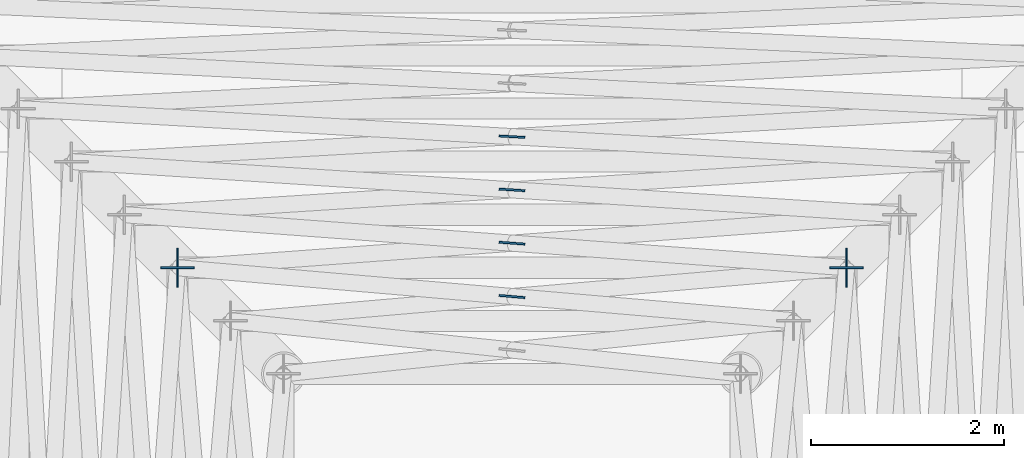
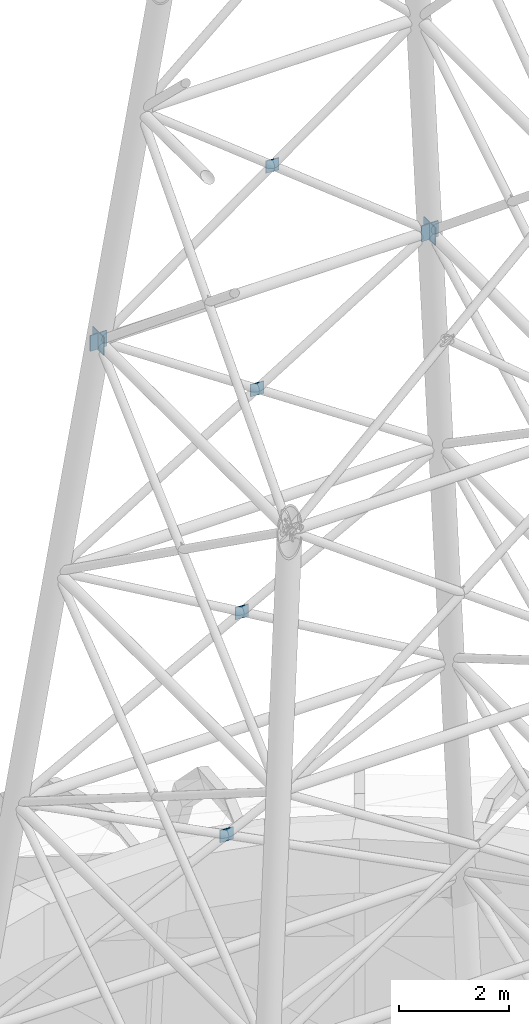
# One storey, part 13 of 27: 8 discrete accessories.
"""IFC4 building model written with IfcOpenShell, lengths in metres."""

from ifc_helpers import new_model, si_unit, direction, frame, origin, origin_2d, place, context, subcontext, project, spatial, rectangle, extrude, material, layer, layer_set, type_object, element, save


model = new_model("IFC4")

# Units and contexts
model_context = context("Model", 3, precision=1e-05, world=origin(), true_north=direction((0.0, 1.0)))
body_context = subcontext(model_context, "Body", "Model", "MODEL_VIEW")
ifc_project = project(units=[si_unit("LENGTHUNIT", "METRE"), si_unit("AREAUNIT", "SQUARE_METRE"), si_unit("VOLUMEUNIT", "CUBIC_METRE"), si_unit("PLANEANGLEUNIT", "RADIAN"), si_unit("MASSUNIT", "GRAM", prefix="KILO")], contexts=[model_context])

# Site, building, storey
site_placement = place(None, origin())
site = spatial("IfcSite", under=ifc_project, at=site_placement, CompositionType="ELEMENT")
building_placement = place(site_placement, origin())
building = spatial("IfcBuilding", under=site, at=building_placement, Name="Ayvan Gate Tower", CompositionType="ELEMENT")
storey_placement = place(building_placement, frame((0.0, 0.0, 267.699951171875)))
storey = spatial("IfcBuildingStorey", under=building, at=storey_placement, Name="Roof", CompositionType="ELEMENT", Elevation=267.699951171875)

# Discrete accessories
ifc_material = material(Name="Steel S460ML", Category="steel")
ifc_layer = layer(ifc_material, 0.02001953125)
ifc_layer_set = layer_set([ifc_layer], Name="Steel S460ML")
discrete_accessory_type = type_object("IfcDiscreteAccessoryType", Name="Gusset plate 20 mm", PredefinedType="BRACKET", material=ifc_layer_set)
discrete_accessory_placement = place(storey_placement, frame((0.0, 4.830078125, 18.3896484375), z_axis=(0.0, 0.0, 1.0), x_axis=(-0.998392560962, 0.056677104857, 0.0)))
element("IfcDiscreteAccessory", 1, at=discrete_accessory_placement, inside=storey, type_object=discrete_accessory_type, Name="Gusset plate MAST BRACE 4-1B", PredefinedType="BRACKET", context=body_context, shape_type="SweptSolid", body=[
    extrude(rectangle(XDim=0.26953125, YDim=0.02001953125, at=origin_2d()), origin(), (0.0, 0.0, 1.0), 0.269287109375),
])
for number, where, z_axis, x_axis, name in (
    (2, (0.0, 4.278076171875, 23.65869140625), (0.0, 0.0, 1.0), (-0.997955745056, 0.063908770204, 0.0), "Gusset plate MAST BRACE 5-1B"),
    (3, (0.0, 3.725341796875, 28.93310546875), (0.0, 0.0, 1.0), (-0.997313710221, 0.073248640976, 0.0), "Gusset plate MAST BRACE 6-1B"),
    (4, (0.0, 3.171630859375, 34.21630859375), (0.0, 0.0, 1.0), (-0.996314521179, 0.08577514143, 0.0), "Gusset plate MAST BRACE 7-1B"),
):
    element("IfcDiscreteAccessory", number, at=place(storey_placement, frame(where, z_axis=z_axis, x_axis=x_axis)), inside=storey, type_object=discrete_accessory_type, Name=name, PredefinedType="BRACKET", context=body_context, shape_type="SweptSolid", body=[
        extrude(rectangle(XDim=0.269287109375, YDim=0.02001953125, at=origin_2d()), origin(), (0.0, 0.0, 1.0), 0.269287109375),
    ])
for number, where, z_axis, x_axis, name in (
    (5, (3.470458984375, 3.470458984375, 31.32470703125), (0.0, 0.0, 1.0), (1.0, 0.0, 0.0), "Gusset plate MAST RING 6-1"),
    (6, (-3.470458984375, 3.470458984375, 31.32470703125), (0.0, 0.0, 1.0), (1.0, 0.0, 0.0), "Gusset plate MAST RING 6-1"),
):
    element("IfcDiscreteAccessory", number, at=place(storey_placement, frame(where, z_axis=z_axis, x_axis=x_axis)), inside=storey, type_object=discrete_accessory_type, Name=name, PredefinedType="BRACKET", context=body_context, shape_type="SweptSolid", body=[
        extrude(rectangle(XDim=0.3505859375, YDim=0.02001953125, at=origin_2d()), origin(), (0.0, 0.0, 1.0), 0.3505859375),
    ])
for number, where, z_axis, x_axis, name in (
    (7, (-3.470458984375, 3.470458984375, 31.29833984375), (0.0, 0.0, 1.0), (0.0, 1.0, 0.0), "Gusset plate MAST RING 6-2"),
    (8, (3.470458984375, 3.470458984375, 31.29833984375), (0.0, 0.0, 1.0), (0.0, 1.0, 0.0), "Gusset plate MAST RING 6-4"),
):
    element("IfcDiscreteAccessory", number, at=place(storey_placement, frame(where, z_axis=z_axis, x_axis=x_axis)), inside=storey, type_object=discrete_accessory_type, Name=name, PredefinedType="BRACKET", context=body_context, shape_type="SweptSolid", body=[
        extrude(rectangle(XDim=0.403076171875, YDim=0.02001953125, at=origin_2d()), origin(), (0.0, 0.0, 1.0), 0.403076171875),
    ])

save(model, "model.ifc")
